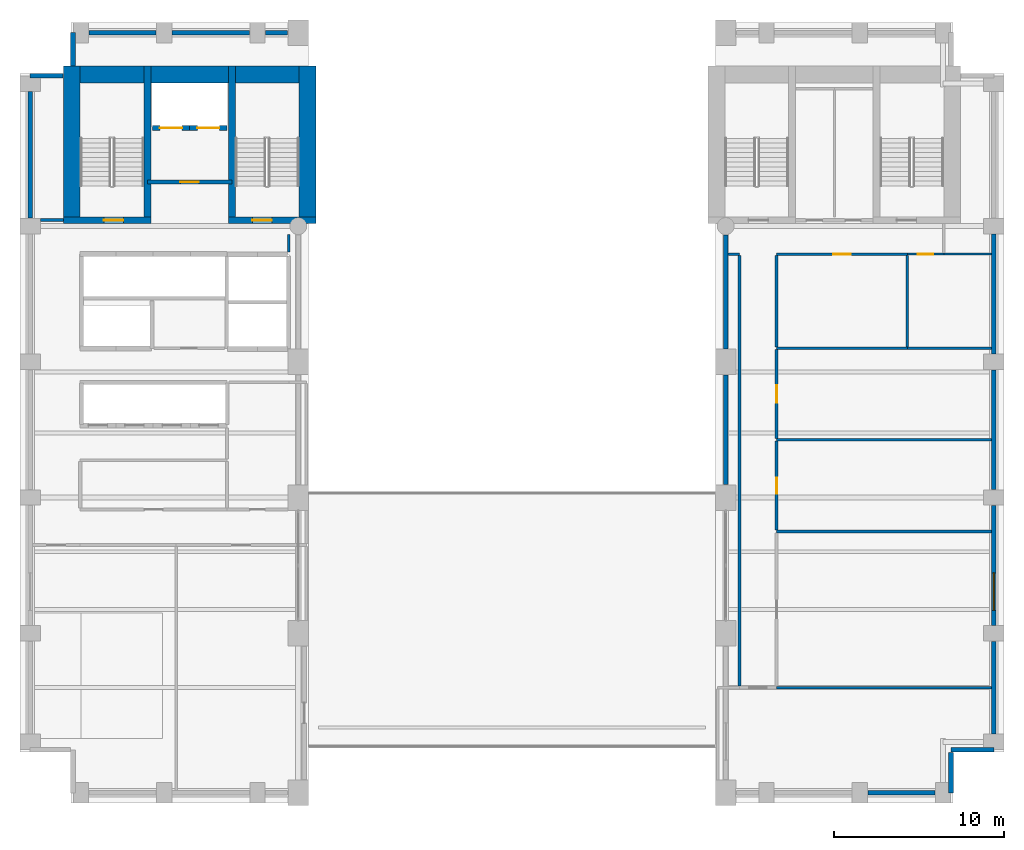
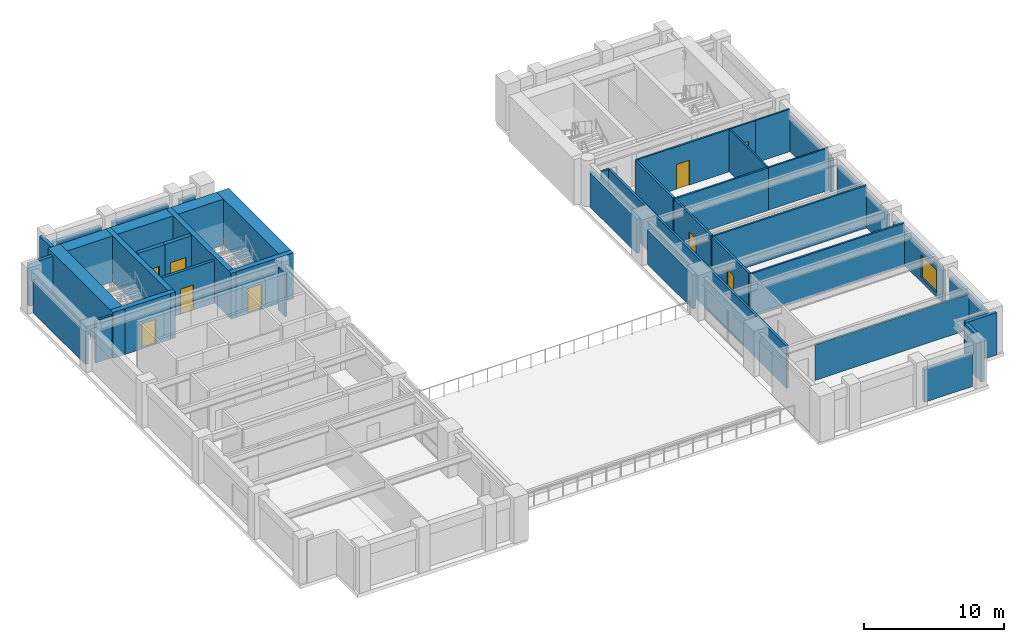
# One storey, part 6 of 10: 41 walls, 9 doors, 1 window, 10 openings.
"""IFC4 building model written with IfcOpenShell, lengths in metres."""

from ifc_helpers import new_model, si_unit, direction, frame, frame_2d, origin, place, context, subcontext, project, spatial, rectangle, extrude, material, layer, layer_set, type_object, element, fill, save


model = new_model("IFC4")

# Units and contexts
model_context = context("Model", 3, precision=1e-05, world=origin(), true_north=direction((0.0, 1.0)))
body_context = subcontext(model_context, "Body", "Model", "MODEL_VIEW")
ifc_project = project(units=[si_unit("LENGTHUNIT", "METRE"), si_unit("AREAUNIT", "SQUARE_METRE"), si_unit("VOLUMEUNIT", "CUBIC_METRE"), si_unit("PLANEANGLEUNIT", "RADIAN"), si_unit("MASSUNIT", "GRAM", prefix="KILO")], contexts=[model_context])

# Site, building, storey
site_placement = place(None, origin())
site = spatial("IfcSite", under=ifc_project, at=site_placement, CompositionType="ELEMENT")
building_placement = place(site_placement, origin())
building = spatial("IfcBuilding", under=site, at=building_placement, Name="Sulina Concourse Tower", CompositionType="ELEMENT")
storey_placement = place(building_placement, frame((0.0, 0.0, 22.60009765625)))
storey = spatial("IfcBuildingStorey", under=building, at=storey_placement, Name="L05", CompositionType="ELEMENT", Elevation=22.60009765625)

# Wall, opening, door
ifc_material_1 = material(Name="Concrete C50/60", Category="concrete")
ifc_layer_1 = layer(ifc_material_1, 0.300048828125)
ifc_layer_set_1 = layer_set([ifc_layer_1], Name="Concrete C50/60")
wall_type_1 = type_object("IfcWallType", Name="Core Lift Hoistway Wall 300mm", PredefinedType="SOLIDWALL", material=ifc_layer_set_1)
wall_1_placement = place(storey_placement, frame((10.0, 39.780029296875, 0.0), z_axis=(0.0, 0.0, 1.0), x_axis=(-1.0, 0.0, 0.0)))
wall_1 = element("IfcWall", 1, at=wall_1_placement, inside=storey, type_object=wall_type_1, Name="L05 hoistway enclosure wall FFL-1", PredefinedType="SOLIDWALL", context=body_context, shape_type="SweptSolid", body=[
    extrude(rectangle(XDim=2.199951171875, YDim=0.300048828125, at=frame_2d((1.10009765625, 0.0))), origin(), (0.0, 0.0, 1.0), 4.0),
])
opening_1_placement = place(wall_1_placement, frame((0.449951171875, 0.0, 0.0)))
opening_1 = element("IfcOpeningElement", 2, at=opening_1_placement, cuts=wall_1, Name="Opening LD-02", PredefinedType="OPENING", context=body_context, shape_type="SweptSolid", body=[
    extrude(rectangle(XDim=1.300048828125, YDim=2.25, at=frame_2d((0.64990234375, 1.125))), frame((0.0, 0.159912109375, 0.0), z_axis=(0.0, -1.0, 0.0), x_axis=(1.0, 0.0, 0.0)), (0.0, 0.0, 1.0), 0.320068359375),
])
ifc_material_2 = material(Name="Stainless steel lift landing door", Category="steel")
ifc_layer_2 = layer(ifc_material_2, 0.050048828125)
ifc_layer_set_2 = layer_set([ifc_layer_2], Name="Stainless steel lift landing door")
door_type_1 = type_object("IfcDoorType", Name="Firefighting Lift Sliding Landing Door 1300x2250", OperationType="SLIDING_TO_RIGHT", PredefinedType="DOOR", material=ifc_layer_set_2)
door_1_placement = place(opening_1_placement, origin())
door_1 = element("IfcDoor", 3, at=door_1_placement, inside=storey, type_object=door_type_1, Name="L05 lift landing sliding door FFL-1", OperationType="SLIDING_TO_LEFT", OverallHeight=2.25, OverallWidth=1.300048828125, PredefinedType="DOOR", context=body_context, shape_type="SweptSolid", body=[
    extrude(rectangle(XDim=1.300048828125, YDim=2.25, at=frame_2d((0.64990234375, 1.125))), frame((0.0, 0.02490234375, 0.0), z_axis=(0.0, -1.0, 0.0), x_axis=(1.0, 0.0, 0.0)), (0.0, 0.0, 1.0), 0.050048828125),
])
fill(opening_1, door_1)

wall_2_placement = place(storey_placement, frame((12.199951171875, 39.780029296875, 0.0), z_axis=(0.0, 0.0, 1.0), x_axis=(-1.0, 0.0, 0.0)))
wall_2 = element("IfcWall", 4, at=wall_2_placement, inside=storey, type_object=wall_type_1, Name="L05 hoistway enclosure wall FFL-2", PredefinedType="SOLIDWALL", context=body_context, shape_type="SweptSolid", body=[
    extrude(rectangle(XDim=2.199951171875, YDim=0.300048828125, at=frame_2d((1.10009765625, 0.0))), origin(), (0.0, 0.0, 1.0), 4.0),
])
opening_2_placement = place(wall_2_placement, frame((0.449951171875, 0.0, 0.0)))
opening_2 = element("IfcOpeningElement", 5, at=opening_2_placement, cuts=wall_2, Name="Opening LD-02", PredefinedType="OPENING", context=body_context, shape_type="SweptSolid", body=[
    extrude(rectangle(XDim=1.300048828125, YDim=2.25, at=frame_2d((0.64990234375, 1.125))), frame((0.0, 0.159912109375, 0.0), z_axis=(0.0, -1.0, 0.0), x_axis=(1.0, 0.0, 0.0)), (0.0, 0.0, 1.0), 0.320068359375),
])
door_2_placement = place(opening_2_placement, origin())
door_2 = element("IfcDoor", 6, at=door_2_placement, inside=storey, type_object=door_type_1, Name="L05 lift landing sliding door FFL-2", OperationType="SLIDING_TO_RIGHT", OverallHeight=2.25, OverallWidth=1.300048828125, PredefinedType="DOOR", context=body_context, shape_type="SweptSolid", body=[
    extrude(rectangle(XDim=1.300048828125, YDim=2.25, at=frame_2d((0.64990234375, 1.125))), frame((0.0, 0.02490234375, 0.0), z_axis=(0.0, -1.0, 0.0), x_axis=(1.0, 0.0, 0.0)), (0.0, 0.0, 1.0), 0.050048828125),
])
fill(opening_2, door_2)

ifc_material_3 = material(Name="Gypsum board on steel stud", Category="steel")
ifc_layer_3 = layer(ifc_material_3, 0.219970703125)
ifc_layer_set_3 = layer_set([ifc_layer_3], Name="Gypsum board on steel stud")
wall_type_2 = type_object("IfcWallType", Name="Fire-Rated Lobby & Compartment Wall 220mm", PredefinedType="PARTITIONING", material=ifc_layer_set_3)
wall_3_placement = place(storey_placement, frame((7.510009765625, 36.60009765625, 0.0), z_axis=(0.0, 0.0, 1.0), x_axis=(1.0, 0.0, 0.0)))
wall_3 = element("IfcWall", 7, at=wall_3_placement, inside=storey, type_object=wall_type_2, Name="L05 firefighting lobby south fire wall", PredefinedType="PARTITIONING", context=body_context, shape_type="SweptSolid", body=[
    extrude(rectangle(XDim=4.97998046875, YDim=0.219970703125, at=frame_2d((2.489990234375, 0.0))), origin(), (0.0, 0.0, 1.0), 3.699951171875),
])
opening_3_placement = place(wall_3_placement, frame((1.93994140625, 0.0, 0.0)))
opening_3 = element("IfcOpeningElement", 8, at=opening_3_placement, cuts=wall_3, Name="Opening DR-47", PredefinedType="OPENING", context=body_context, shape_type="SweptSolid", body=[
    extrude(rectangle(XDim=1.10009765625, YDim=2.199951171875, at=frame_2d((0.550048828125, 1.10009765625))), frame((0.0, 0.119873046875, 0.0), z_axis=(0.0, -1.0, 0.0), x_axis=(1.0, 0.0, 0.0)), (0.0, 0.0, 1.0), 0.239990234375),
])
ifc_material_4 = material(Name="Galvanised steel acoustic fire leaf", Category="steel")
ifc_layer_4 = layer(ifc_material_4, 0.054931640625)
ifc_layer_set_4 = layer_set([ifc_layer_4], Name="Galvanised steel acoustic fire leaf")
door_type_2 = type_object("IfcDoorType", Name="Firefighting Lobby Fire Door 1100x2200", OperationType="NOTDEFINED", PredefinedType="DOOR", material=ifc_layer_set_4)
door_3_placement = place(opening_3_placement, origin())
door_3 = element("IfcDoor", 9, at=door_3_placement, inside=storey, type_object=door_type_2, Name="L05 firefighting lobby fire door", OperationType="SINGLE_SWING_RIGHT", OverallHeight=2.199951171875, OverallWidth=1.10009765625, PredefinedType="DOOR", context=body_context, shape_type="SweptSolid", body=[
    extrude(rectangle(XDim=1.10009765625, YDim=2.199951171875, at=frame_2d((0.550048828125, 1.10009765625))), frame((0.0, 0.02490234375, 0.0), z_axis=(0.0, -1.0, 0.0), x_axis=(1.0, 0.0, 0.0)), (0.0, 0.0, 1.0), 0.050048828125),
])
fill(opening_3, door_3)

# Walls
ifc_material_5 = material(Name="Gypsum board on steel stud", Category="steel")
ifc_layer_5 = layer(ifc_material_5, 0.14990234375)
ifc_layer_set_5 = layer_set([ifc_layer_5], Name="Gypsum board on steel stud")
wall_type_3 = type_object("IfcWallType", Name="Inter-Tenancy Acoustic Partition 150mm", PredefinedType="PARTITIONING", material=ifc_layer_set_5)
wall_4_placement = place(storey_placement, frame((44.60009765625, 6.800048828125, 0.0), z_axis=(0.0, 0.0, 1.0), x_axis=(1.0, 0.0, 0.0)))
element("IfcWall", 10, at=wall_4_placement, inside=storey, type_object=wall_type_3, Name="L05 interior partition 003", PredefinedType="PARTITIONING", context=body_context, shape_type="SweptSolid", body=[
    extrude(rectangle(XDim=12.659912109375, YDim=0.14990234375, at=frame_2d((6.330078125, 0.0))), origin(), (0.0, 0.0, 1.0), 3.094970703125),
])
for number, where, z_axis, x_axis, name in (
    (11, (44.60009765625, 16.0, 0.0), (0.0, 0.0, 1.0), (1.0, 0.0, 0.0), "L05 interior partition 007"),
    (12, (44.60009765625, 21.39990234375, 0.0), (0.0, 0.0, 1.0), (1.0, 0.0, 0.0), "L05 interior partition 011"),
):
    element("IfcWall", number, at=place(storey_placement, frame(where, z_axis=z_axis, x_axis=x_axis)), inside=storey, type_object=wall_type_3, Name=name, PredefinedType="PARTITIONING", context=body_context, shape_type="SweptSolid", body=[
        extrude(rectangle(XDim=12.659912109375, YDim=0.14990234375, at=frame_2d((6.330078125, 0.0))), origin(), (0.0, 0.0, 1.0), 3.699951171875),
    ])
wall_5_placement = place(storey_placement, frame((44.60009765625, 26.800048828125, 0.0), z_axis=(0.0, 0.0, 1.0), x_axis=(1.0, 0.0, 0.0)))
element("IfcWall", 13, at=wall_5_placement, inside=storey, type_object=wall_type_3, Name="L05 interior partition 015", PredefinedType="PARTITIONING", context=body_context, shape_type="SweptSolid", body=[
    extrude(rectangle(XDim=7.699951171875, YDim=0.14990234375, at=frame_2d((3.85009765625, 0.0))), origin(), (0.0, 0.0, 1.0), 3.699951171875),
])
wall_6_placement = place(storey_placement, frame((41.739990234375, 32.35009765625, 0.0), z_axis=(0.0, 0.0, 1.0), x_axis=(1.0, 0.0, 0.0)))
element("IfcWall", 14, at=wall_6_placement, inside=storey, type_object=wall_type_3, Name="L05 interior partition 017", PredefinedType="PARTITIONING", context=body_context, shape_type="SweptSolid", body=[
    extrude(rectangle(XDim=0.659912109375, YDim=0.14990234375, at=frame_2d((0.330078125, 0.0))), origin(), (0.0, 0.0, 1.0), 3.699951171875),
])

# Wall, opening, door
wall_7_placement = place(storey_placement, frame((44.60009765625, 32.35009765625, 0.0), z_axis=(0.0, 0.0, 1.0), x_axis=(1.0, 0.0, 0.0)))
wall_7 = element("IfcWall", 15, at=wall_7_placement, inside=storey, type_object=wall_type_3, Name="L05 interior partition 018", PredefinedType="PARTITIONING", context=body_context, shape_type="SweptSolid", body=[
    extrude(rectangle(XDim=7.699951171875, YDim=0.14990234375, at=frame_2d((3.85009765625, 0.0))), origin(), (0.0, 0.0, 1.0), 3.699951171875),
])
opening_4_placement = place(wall_7_placement, frame((3.324951171875, 0.0, 0.0)))
opening_4 = element("IfcOpeningElement", 16, at=opening_4_placement, cuts=wall_7, Name="Opening DR-37", PredefinedType="OPENING", context=body_context, shape_type="SweptSolid", body=[
    extrude(rectangle(XDim=1.050048828125, YDim=2.14990234375, at=frame_2d((0.52490234375, 1.074951171875))), frame((0.0, 0.0849609375, 0.0), z_axis=(0.0, -1.0, 0.0), x_axis=(1.0, 0.0, 0.0)), (0.0, 0.0, 1.0), 0.169921875),
])
ifc_material_6 = material(Name="Oak-veneered fire door leaf")
ifc_layer_6 = layer(ifc_material_6, 0.050048828125)
ifc_layer_set_6 = layer_set([ifc_layer_6], Name="Oak-veneered fire door leaf")
door_type_3 = type_object("IfcDoorType", Name="Tenant Suite Entrance Fire Door 1050x2150", OperationType="NOTDEFINED", PredefinedType="DOOR", material=ifc_layer_set_6)
door_4_placement = place(opening_4_placement, origin())
door_4 = element("IfcDoor", 17, at=door_4_placement, inside=storey, type_object=door_type_3, Name="L05 interior door L05-REC-E1", OperationType="SINGLE_SWING_RIGHT", OverallHeight=2.14990234375, OverallWidth=1.050048828125, PredefinedType="DOOR", context=body_context, shape_type="SweptSolid", body=[
    extrude(rectangle(XDim=1.050048828125, YDim=2.14990234375, at=frame_2d((0.52490234375, 1.074951171875))), frame((0.0, 0.02490234375, 0.0), z_axis=(0.0, -1.0, 0.0), x_axis=(1.0, 0.0, 0.0)), (0.0, 0.0, 1.0), 0.050048828125),
])
fill(opening_4, door_4)

# Walls
wall_8_placement = place(storey_placement, frame((15.85009765625, 32.469970703125, 0.0), z_axis=(0.0, 0.0, 1.0), x_axis=(0.0, 1.0, 0.0)))
element("IfcWall", 18, at=wall_8_placement, inside=storey, type_object=wall_type_3, Name="L05 interior partition 028", PredefinedType="PARTITIONING", context=body_context, shape_type="SweptSolid", body=[
    extrude(rectangle(XDim=1.030029296875, YDim=0.14990234375, at=frame_2d((0.51513671875, 0.0))), origin(), (0.0, 0.0, 1.0), 3.699951171875),
])
ifc_material_7 = material(Name="Gypsum board on steel stud", Category="steel")
ifc_layer_7 = layer(ifc_material_7, 0.179931640625)
ifc_layer_set_7 = layer_set([ifc_layer_7], Name="Gypsum board on steel stud")
wall_type_4 = type_object("IfcWallType", Name="Protected Corridor & Riser Partition 180mm", PredefinedType="PARTITIONING", material=ifc_layer_set_7)
wall_9_placement = place(storey_placement, frame((1.199951171875, 34.35009765625, 0.0), z_axis=(0.0, 0.0, 1.0), x_axis=(1.0, 0.0, 0.0)))
element("IfcWall", 19, at=wall_9_placement, inside=storey, type_object=wall_type_4, Name="L05 interior partition 021", PredefinedType="PARTITIONING", context=body_context, shape_type="SweptSolid", body=[
    extrude(rectangle(XDim=1.35009765625, YDim=0.179931640625, at=frame_2d((0.675048828125, 0.0))), origin(), (0.0, 0.0, 1.0), 3.699951171875),
])
wall_10_placement = place(storey_placement, frame((42.39990234375, 6.889892578125, 0.0), z_axis=(0.0, 0.0, 1.0), x_axis=(0.0, 1.0, 0.0)))
element("IfcWall", 20, at=wall_10_placement, inside=storey, type_object=wall_type_4, Name="L05 interior partition 033", PredefinedType="PARTITIONING", context=body_context, shape_type="SweptSolid", body=[
    extrude(rectangle(XDim=25.385009765625, YDim=0.179931640625, at=frame_2d((12.6923828125, 0.0))), origin(), (0.0, 0.0, 1.0), 3.699951171875),
])

# Wall, opening, door
wall_11_placement = place(storey_placement, frame((44.60009765625, 16.074951171875, 0.0), z_axis=(0.0, 0.0, 1.0), x_axis=(0.0, 1.0, 0.0)))
wall_11 = element("IfcWall", 21, at=wall_11_placement, inside=storey, type_object=wall_type_4, Name="L05 interior partition 035", PredefinedType="PARTITIONING", context=body_context, shape_type="SweptSolid", body=[
    extrude(rectangle(XDim=5.25, YDim=0.179931640625, at=frame_2d((2.625, 0.0))), origin(), (0.0, 0.0, 1.0), 3.699951171875),
])
opening_5_placement = place(wall_11_placement, frame((2.14990234375, 0.0, 0.0)))
opening_5 = element("IfcOpeningElement", 22, at=opening_5_placement, cuts=wall_11, Name="Opening DR-19", PredefinedType="OPENING", context=body_context, shape_type="SweptSolid", body=[
    extrude(rectangle(XDim=0.949951171875, YDim=2.14990234375, at=frame_2d((0.47509765625, 1.074951171875))), frame((0.0, 0.099853515625, 0.0), z_axis=(0.0, -1.0, 0.0), x_axis=(1.0, 0.0, 0.0)), (0.0, 0.0, 1.0), 0.199951171875),
])
ifc_material_8 = material(Name="Oak-veneered acoustic timber leaf", Category="wood")
ifc_layer_8 = layer(ifc_material_8, 0.050048828125)
ifc_layer_set_8 = layer_set([ifc_layer_8], Name="Oak-veneered acoustic timber leaf")
door_type_4 = type_object("IfcDoorType", Name="Cellular Office & Meeting Door 950x2150", OperationType="NOTDEFINED", PredefinedType="DOOR", material=ifc_layer_set_8)
door_5_placement = place(opening_5_placement, origin())
door_5 = element("IfcDoor", 23, at=door_5_placement, inside=storey, type_object=door_type_4, Name="L05 interior door L05-PNT-E1", OperationType="SINGLE_SWING_LEFT", OverallHeight=2.14990234375, OverallWidth=0.949951171875, PredefinedType="DOOR", context=body_context, shape_type="SweptSolid", body=[
    extrude(rectangle(XDim=0.949951171875, YDim=2.14990234375, at=frame_2d((0.47509765625, 1.074951171875))), frame((0.0, 0.02490234375, 0.0), z_axis=(0.0, -1.0, 0.0), x_axis=(1.0, 0.0, 0.0)), (0.0, 0.0, 1.0), 0.050048828125),
])
fill(opening_5, door_5)

wall_12_placement = place(storey_placement, frame((44.60009765625, 21.47509765625, 0.0), z_axis=(0.0, 0.0, 1.0), x_axis=(0.0, 1.0, 0.0)))
wall_12 = element("IfcWall", 24, at=wall_12_placement, inside=storey, type_object=wall_type_4, Name="L05 interior partition 036", PredefinedType="PARTITIONING", context=body_context, shape_type="SweptSolid", body=[
    extrude(rectangle(XDim=5.25, YDim=0.179931640625, at=frame_2d((2.625, 0.0))), origin(), (0.0, 0.0, 1.0), 3.699951171875),
])
opening_6_placement = place(wall_12_placement, frame((2.10009765625, 0.0, 0.0)))
opening_6 = element("IfcOpeningElement", 25, at=opening_6_placement, cuts=wall_12, Name="Opening DR-37", PredefinedType="OPENING", context=body_context, shape_type="SweptSolid", body=[
    extrude(rectangle(XDim=1.050048828125, YDim=2.14990234375, at=frame_2d((0.52490234375, 1.074951171875))), frame((0.0, 0.099853515625, 0.0), z_axis=(0.0, -1.0, 0.0), x_axis=(1.0, 0.0, 0.0)), (0.0, 0.0, 1.0), 0.199951171875),
])
door_6_placement = place(opening_6_placement, origin())
door_6 = element("IfcDoor", 26, at=door_6_placement, inside=storey, type_object=door_type_3, Name="L05 interior door L05-OFF-E4", OperationType="SINGLE_SWING_RIGHT", OverallHeight=2.14990234375, OverallWidth=1.050048828125, PredefinedType="DOOR", context=body_context, shape_type="SweptSolid", body=[
    extrude(rectangle(XDim=1.050048828125, YDim=2.14990234375, at=frame_2d((0.52490234375, 1.074951171875))), frame((0.0, 0.02490234375, 0.0), z_axis=(0.0, -1.0, 0.0), x_axis=(1.0, 0.0, 0.0)), (0.0, 0.0, 1.0), 0.050048828125),
])
fill(opening_6, door_6)

# Wall
wall_13_placement = place(storey_placement, frame((44.60009765625, 26.875, 0.0), z_axis=(0.0, 0.0, 1.0), x_axis=(0.0, 1.0, 0.0)))
element("IfcWall", 27, at=wall_13_placement, inside=storey, type_object=wall_type_4, Name="L05 interior partition 037", PredefinedType="PARTITIONING", context=body_context, shape_type="SweptSolid", body=[
    extrude(rectangle(XDim=5.39990234375, YDim=0.179931640625, at=frame_2d((2.699951171875, 0.0))), origin(), (0.0, 0.0, 1.0), 3.699951171875),
])

# Wall, opening, door
ifc_material_9 = material(Name="Concrete C60/75", Category="concrete")
ifc_layer_9 = layer(ifc_material_9, 0.39990234375)
ifc_layer_set_9 = layer_set([ifc_layer_9], Name="Concrete C60/75")
wall_type_5 = type_object("IfcWallType", Name="Protected Stair Core Shear Wall 400mm", PredefinedType="SHEAR", material=ifc_layer_set_9)
wall_14_placement = place(storey_placement, frame((2.550048828125, 34.35009765625, 0.0), z_axis=(0.0, 0.0, 1.0), x_axis=(1.0, 0.0, 0.0)))
wall_14 = element("IfcWall", 28, at=wall_14_placement, inside=storey, type_object=wall_type_5, Name="L05 west core shear wall CW-WS1", PredefinedType="SHEAR", context=body_context, shape_type="SweptSolid", body=[
    extrude(rectangle(XDim=5.159912109375, YDim=0.39990234375, at=frame_2d((2.580078125, 0.0))), origin(), (0.0, 0.0, 1.0), 4.0),
])
opening_7_placement = place(wall_14_placement, frame((2.39990234375, 0.0, 0.0)))
opening_7 = element("IfcOpeningElement", 29, at=opening_7_placement, cuts=wall_14, Name="Opening DR-60", PredefinedType="OPENING", context=body_context, shape_type="SweptSolid", body=[
    extrude(rectangle(XDim=1.14990234375, YDim=2.199951171875, at=frame_2d((0.574951171875, 1.10009765625))), frame((0.0, 0.2099609375, 0.0), z_axis=(0.0, -1.0, 0.0), x_axis=(1.0, 0.0, 0.0)), (0.0, 0.0, 1.0), 0.419921875),
])
ifc_material_10 = material(Name="Galvanised steel acoustic fire leaf", Category="steel")
ifc_layer_10 = layer(ifc_material_10, 0.054931640625)
ifc_layer_set_10 = layer_set([ifc_layer_10], Name="Galvanised steel acoustic fire leaf")
door_type_5 = type_object("IfcDoorType", Name="Protected Exit Stair Fire Door 1150x2200", OperationType="NOTDEFINED", PredefinedType="DOOR", material=ifc_layer_set_10)
door_7_placement = place(opening_7_placement, origin())
door_7 = element("IfcDoor", 30, at=door_7_placement, inside=storey, type_object=door_type_5, Name="L05 stair ST-1 lobby fire door", OperationType="SINGLE_SWING_RIGHT", OverallHeight=2.199951171875, OverallWidth=1.14990234375, PredefinedType="DOOR", context=body_context, shape_type="SweptSolid", body=[
    extrude(rectangle(XDim=1.14990234375, YDim=2.199951171875, at=frame_2d((0.574951171875, 1.10009765625))), frame((0.0, 0.02490234375, 0.0), z_axis=(0.0, -1.0, 0.0), x_axis=(1.0, 0.0, 0.0)), (0.0, 0.0, 1.0), 0.050048828125),
])
fill(opening_7, door_7)

wall_15_placement = place(storey_placement, frame((12.2900390625, 34.35009765625, 0.0), z_axis=(0.0, 0.0, 1.0), x_axis=(1.0, 0.0, 0.0)))
wall_15 = element("IfcWall", 31, at=wall_15_placement, inside=storey, type_object=wall_type_5, Name="L05 west core shear wall CW-WS2", PredefinedType="SHEAR", context=body_context, shape_type="SweptSolid", body=[
    extrude(rectangle(XDim=5.159912109375, YDim=0.39990234375, at=frame_2d((2.580078125, 0.0))), origin(), (0.0, 0.0, 1.0), 4.0),
])
opening_8_placement = place(wall_15_placement, frame((1.39990234375, 0.0, 0.0)))
opening_8 = element("IfcOpeningElement", 32, at=opening_8_placement, cuts=wall_15, Name="Opening DR-60", PredefinedType="OPENING", context=body_context, shape_type="SweptSolid", body=[
    extrude(rectangle(XDim=1.14990234375, YDim=2.199951171875, at=frame_2d((0.574951171875, 1.10009765625))), frame((0.0, 0.2099609375, 0.0), z_axis=(0.0, -1.0, 0.0), x_axis=(1.0, 0.0, 0.0)), (0.0, 0.0, 1.0), 0.419921875),
])
door_8_placement = place(opening_8_placement, origin())
door_8 = element("IfcDoor", 33, at=door_8_placement, inside=storey, type_object=door_type_5, Name="L05 stair ST-2 lobby fire door", OperationType="SINGLE_SWING_LEFT", OverallHeight=2.199951171875, OverallWidth=1.14990234375, PredefinedType="DOOR", context=body_context, shape_type="SweptSolid", body=[
    extrude(rectangle(XDim=1.14990234375, YDim=2.199951171875, at=frame_2d((0.574951171875, 1.10009765625))), frame((0.0, 0.02490234375, 0.0), z_axis=(0.0, -1.0, 0.0), x_axis=(1.0, 0.0, 0.0)), (0.0, 0.0, 1.0), 0.050048828125),
])
fill(opening_8, door_8)

# Walls
for number, where, z_axis, x_axis, name in (
    (34, (7.510009765625, 34.14990234375, 0.0), (0.0, 0.0, 1.0), (0.0, 1.0, 0.0), "L05 west core shear wall SW-ST1"),
    (35, (12.489990234375, 34.14990234375, 0.0), (0.0, 0.0, 1.0), (0.0, 1.0, 0.0), "L05 west core shear wall SW-ST2"),
):
    element("IfcWall", number, at=place(storey_placement, frame(where, z_axis=z_axis, x_axis=x_axis)), inside=storey, type_object=wall_type_5, Name=name, PredefinedType="SHEAR", context=body_context, shape_type="SweptSolid", body=[
        extrude(rectangle(XDim=9.280029296875, YDim=0.39990234375, at=frame_2d((4.64013671875, 0.0))), origin(), (0.0, 0.0, 1.0), 4.0),
    ])
ifc_material_11 = material(Name="Concrete C80/95", Category="concrete")
ifc_layer_11 = layer(ifc_material_11, 1.0)
ifc_layer_set_11 = layer_set([ifc_layer_11], Name="Concrete C80/95")
wall_type_6 = type_object("IfcWallType", Name="Rear Core Shear Wall 1000mm", PredefinedType="SHEAR", material=ifc_layer_set_11)
wall_16_placement = place(storey_placement, frame((2.550048828125, 42.929931640625, 0.0), z_axis=(0.0, 0.0, 1.0), x_axis=(1.0, 0.0, 0.0)))
element("IfcWall", 36, at=wall_16_placement, inside=storey, type_object=wall_type_6, Name="L05 west core shear wall CW-WN", PredefinedType="SHEAR", context=body_context, shape_type="SweptSolid", body=[
    extrude(rectangle(XDim=14.89990234375, YDim=1.0, at=frame_2d((7.449951171875, 0.0))), origin(), (0.0, 0.0, 1.0), 4.0),
])
for number, where, z_axis, x_axis, name in (
    (37, (3.050048828125, 34.14990234375, 0.0), (0.0, 0.0, 1.0), (0.0, 1.0, 0.0), "L05 west core shear wall CW-WW"),
    (38, (16.949951171875, 34.14990234375, 0.0), (0.0, 0.0, 1.0), (0.0, 1.0, 0.0), "L05 west core shear wall CW-WE"),
):
    element("IfcWall", number, at=place(storey_placement, frame(where, z_axis=z_axis, x_axis=x_axis)), inside=storey, type_object=wall_type_6, Name=name, PredefinedType="SHEAR", context=body_context, shape_type="SweptSolid", body=[
        extrude(rectangle(XDim=9.280029296875, YDim=1.0, at=frame_2d((4.64013671875, 0.0))), origin(), (0.0, 0.0, 1.0), 4.0),
    ])
ifc_material_12 = material(Name="Precast concrete C50/60", Category="concrete")
ifc_layer_12 = layer(ifc_material_12, 0.280029296875)
ifc_layer_set_12 = layer_set([ifc_layer_12], Name="Precast concrete C50/60")
wall_type_7 = type_object("IfcWallType", Name="Typical Precast Masonry-Frame Facade Wall 280mm", PredefinedType="SOLIDWALL", material=ifc_layer_set_12)
wall_17_placement = place(storey_placement, frame((53.929931640625, 0.60009765625, 0.0), z_axis=(0.0, 0.0, 1.0), x_axis=(-1.0, 0.0, 0.0)))
element("IfcWall", 39, at=wall_17_placement, inside=storey, type_object=wall_type_7, Name="L05 exterior precast wall S7", PredefinedType="SOLIDWALL", context=body_context, shape_type="SweptSolid", body=[
    extrude(rectangle(XDim=3.9599609375, YDim=0.280029296875, at=frame_2d((1.97998046875, 0.0))), origin(), (0.0, 0.0, 1.0), 2.849853515625),
])
wall_18_placement = place(storey_placement, frame((0.60009765625, 34.469970703125, 0.0), z_axis=(0.0, 0.0, 1.0), x_axis=(0.0, 1.0, 0.0)))
element("IfcWall", 40, at=wall_18_placement, inside=storey, type_object=wall_type_7, Name="L05 exterior precast wall W5", PredefinedType="SOLIDWALL", context=body_context, shape_type="SweptSolid", body=[
    extrude(rectangle(XDim=7.4599609375, YDim=0.280029296875, at=frame_2d((3.72998046875, 0.0))), origin(), (0.0, 0.0, 1.0), 2.849853515625),
])
wall_19_placement = place(storey_placement, frame((4.070068359375, 45.39990234375, 0.0), z_axis=(0.0, 0.0, 1.0), x_axis=(1.0, 0.0, 0.0)))
element("IfcWall", 41, at=wall_19_placement, inside=storey, type_object=wall_type_7, Name="L05 exterior precast wall N1", PredefinedType="SOLIDWALL", context=body_context, shape_type="SweptSolid", body=[
    extrude(rectangle(XDim=3.9599609375, YDim=0.280029296875, at=frame_2d((1.97998046875, 0.0))), origin(), (0.0, 0.0, 1.0), 2.849853515625),
])
wall_20_placement = place(storey_placement, frame((8.969970703125, 45.39990234375, 0.0), z_axis=(0.0, 0.0, 1.0), x_axis=(1.0, 0.0, 0.0)))
element("IfcWall", 42, at=wall_20_placement, inside=storey, type_object=wall_type_7, Name="L05 exterior precast wall N2", PredefinedType="SOLIDWALL", context=body_context, shape_type="SweptSolid", body=[
    extrude(rectangle(XDim=4.56005859375, YDim=0.280029296875, at=frame_2d((2.280029296875, 0.0))), origin(), (0.0, 0.0, 1.0), 2.849853515625),
])
wall_21_placement = place(storey_placement, frame((14.469970703125, 45.39990234375, 0.0), z_axis=(0.0, 0.0, 1.0), x_axis=(1.0, 0.0, 0.0)))
element("IfcWall", 43, at=wall_21_placement, inside=storey, type_object=wall_type_7, Name="L05 exterior precast wall N3", PredefinedType="SOLIDWALL", context=body_context, shape_type="SweptSolid", body=[
    extrude(rectangle(XDim=1.31005859375, YDim=0.280029296875, at=frame_2d((0.655029296875, 0.0))), origin(), (0.0, 0.0, 1.0), 2.849853515625),
])
wall_22_placement = place(storey_placement, frame((57.39990234375, 9.530029296875, 0.0), z_axis=(0.0, 0.0, 1.0), x_axis=(0.0, -1.0, 0.0)))
element("IfcWall", 44, at=wall_22_placement, inside=storey, type_object=wall_type_7, Name="L05 exterior precast wall E1", PredefinedType="SOLIDWALL", context=body_context, shape_type="SweptSolid", body=[
    extrude(rectangle(XDim=5.4599609375, YDim=0.280029296875, at=frame_2d((2.72998046875, 0.0))), origin(), (0.0, 0.0, 1.0), 2.849853515625),
])

# Wall, opening, window
wall_23_placement = place(storey_placement, frame((57.39990234375, 17.530029296875, 0.0), z_axis=(0.0, 0.0, 1.0), x_axis=(0.0, -1.0, 0.0)))
wall_23 = element("IfcWall", 45, at=wall_23_placement, inside=storey, type_object=wall_type_7, Name="L05 exterior precast wall E2", PredefinedType="SOLIDWALL", context=body_context, shape_type="SweptSolid", body=[
    extrude(rectangle(XDim=7.06005859375, YDim=0.280029296875, at=frame_2d((3.530029296875, 0.0))), origin(), (0.0, 0.0, 1.0), 2.849853515625),
])
opening_9_placement = place(wall_23_placement, frame((3.973388671875, 0.0, 0.419921875)))
opening_9 = element("IfcOpeningElement", 46, at=opening_9_placement, cuts=wall_23, Name="Opening WN-76", PredefinedType="OPENING", context=body_context, shape_type="SweptSolid", body=[
    extrude(rectangle(XDim=2.199951171875, YDim=1.949951171875, at=frame_2d((1.10009765625, 0.97509765625))), frame((0.0, 0.14990234375, 0.0), z_axis=(0.0, -1.0, 0.0), x_axis=(1.0, 0.0, 0.0)), (0.0, 0.0, 1.0), 0.300048828125),
])
ifc_material_13 = material(Name="Low-E solar double glazing in bronze aluminium", Category="aluminium")
window_type = type_object("IfcWindowType", Name="Recessed Spandrel Window 2200x1950", PartitioningType="DOUBLE_PANEL_VERTICAL", PredefinedType="WINDOW", material=ifc_material_13)
window_placement = place(opening_9_placement, origin())
window = element("IfcWindow", 47, at=window_placement, inside=storey, type_object=window_type, Name="L05 punched window E2-1", OverallHeight=1.949951171875, OverallWidth=2.199951171875, PartitioningType="SINGLE_PANEL", PredefinedType="WINDOW", context=body_context, shape_type="SweptSolid", body=[
    extrude(rectangle(XDim=2.199951171875, YDim=1.949951171875, at=frame_2d((1.10009765625, 0.97509765625))), frame((0.0, 0.030029296875, 0.0), z_axis=(0.0, -1.0, 0.0), x_axis=(1.0, 0.0, 0.0)), (0.0, 0.0, 1.0), 0.06005859375),
])
fill(opening_9, window)

# Walls
for number, where, z_axis, x_axis, name in (
    (48, (57.39990234375, 25.530029296875, 0.0), (0.0, 0.0, 1.0), (0.0, -1.0, 0.0), "L05 exterior precast wall E3"),
    (49, (57.39990234375, 33.530029296875, 0.0), (0.0, 0.0, 1.0), (0.0, -1.0, 0.0), "L05 exterior precast wall E4"),
):
    element("IfcWall", number, at=place(storey_placement, frame(where, z_axis=z_axis, x_axis=x_axis)), inside=storey, type_object=wall_type_7, Name=name, PredefinedType="SOLIDWALL", context=body_context, shape_type="SweptSolid", body=[
        extrude(rectangle(XDim=7.06005859375, YDim=0.280029296875, at=frame_2d((3.530029296875, 0.0))), origin(), (0.0, 0.0, 1.0), 2.849853515625),
    ])
wall_24_placement = place(storey_placement, frame((0.60009765625, 42.8701171875, 0.0), z_axis=(0.0, 0.0, 1.0), x_axis=(1.0, 0.0, 0.0)))
element("IfcWall", 50, at=wall_24_placement, inside=storey, type_object=wall_type_7, Name="L05 exterior precast wall CNW1", PredefinedType="SOLIDWALL", context=body_context, shape_type="SweptSolid", body=[
    extrude(rectangle(XDim=1.94482421875, YDim=0.280029296875, at=frame_2d((0.972412109375, 0.0))), origin(), (0.0, 0.0, 1.0), 3.699951171875),
])
wall_25_placement = place(storey_placement, frame((3.1298828125, 43.43505859375, 0.0), z_axis=(0.0, 0.0, 1.0), x_axis=(0.0, 1.0, 0.0)))
element("IfcWall", 51, at=wall_25_placement, inside=storey, type_object=wall_type_7, Name="L05 exterior precast wall CNW2", PredefinedType="SOLIDWALL", context=body_context, shape_type="SweptSolid", body=[
    extrude(rectangle(XDim=1.96484375, YDim=0.280029296875, at=frame_2d((0.982421875, 0.0))), origin(), (0.0, 0.0, 1.0), 3.699951171875),
])
wall_26_placement = place(storey_placement, frame((57.39990234375, 3.1298828125, 0.0), z_axis=(0.0, 0.0, 1.0), x_axis=(-1.0, 0.0, 0.0)))
element("IfcWall", 52, at=wall_26_placement, inside=storey, type_object=wall_type_7, Name="L05 exterior precast wall CSE1", PredefinedType="SOLIDWALL", context=body_context, shape_type="SweptSolid", body=[
    extrude(rectangle(XDim=2.52978515625, YDim=0.280029296875, at=frame_2d((1.264892578125, 0.0))), origin(), (0.0, 0.0, 1.0), 3.699951171875),
])
wall_27_placement = place(storey_placement, frame((54.8701171875, 2.985107421875, 0.0), z_axis=(0.0, 0.0, 1.0), x_axis=(0.0, -1.0, 0.0)))
element("IfcWall", 53, at=wall_27_placement, inside=storey, type_object=wall_type_7, Name="L05 exterior precast wall CSE2", PredefinedType="SOLIDWALL", context=body_context, shape_type="SweptSolid", body=[
    extrude(rectangle(XDim=2.385009765625, YDim=0.280029296875, at=frame_2d((1.1923828125, 0.0))), origin(), (0.0, 0.0, 1.0), 3.699951171875),
])
wall_28_placement = place(storey_placement, frame((41.60009765625, 18.77001953125, 0.0), z_axis=(0.0, 0.0, 1.0), x_axis=(0.0, 1.0, 0.0)))
element("IfcWall", 54, at=wall_28_placement, inside=storey, type_object=wall_type_7, Name="L05 exterior precast wall PE3", PredefinedType="SOLIDWALL", context=body_context, shape_type="SweptSolid", body=[
    extrude(rectangle(XDim=6.4599609375, YDim=0.280029296875, at=frame_2d((3.22998046875, 0.0))), origin(), (0.0, 0.0, 1.0), 3.0),
])
wall_29_placement = place(storey_placement, frame((41.60009765625, 26.77001953125, 0.0), z_axis=(0.0, 0.0, 1.0), x_axis=(0.0, 1.0, 0.0)))
element("IfcWall", 55, at=wall_29_placement, inside=storey, type_object=wall_type_7, Name="L05 exterior precast wall PE4", PredefinedType="SOLIDWALL", context=body_context, shape_type="SweptSolid", body=[
    extrude(rectangle(XDim=6.7099609375, YDim=0.280029296875, at=frame_2d((3.35498046875, 0.0))), origin(), (0.0, 0.0, 1.0), 3.0),
])
ifc_material_14 = material(Name="Gypsum board on steel stud", Category="steel")
ifc_layer_13 = layer(ifc_material_14, 0.125)
ifc_layer_set_13 = layer_set([ifc_layer_13], Name="Gypsum board on steel stud")
wall_type_8 = type_object("IfcWallType", Name="Wet-Area Moisture-Resistant Partition 125mm", PredefinedType="PARTITIONING", material=ifc_layer_set_13)
wall_30_placement = place(storey_placement, frame((52.300048828125, 26.800048828125, 0.0), z_axis=(0.0, 0.0, 1.0), x_axis=(1.0, 0.0, 0.0)))
element("IfcWall", 56, at=wall_30_placement, inside=storey, type_object=wall_type_8, Name="L05 interior partition 016", PredefinedType="PARTITIONING", context=body_context, shape_type="SweptSolid", body=[
    extrude(rectangle(XDim=4.9599609375, YDim=0.125, at=frame_2d((2.47998046875, 0.0))), origin(), (0.0, 0.0, 1.0), 3.699951171875),
])

# Wall, opening, door
wall_31_placement = place(storey_placement, frame((52.300048828125, 32.35009765625, 0.0), z_axis=(0.0, 0.0, 1.0), x_axis=(1.0, 0.0, 0.0)))
wall_31 = element("IfcWall", 57, at=wall_31_placement, inside=storey, type_object=wall_type_8, Name="L05 interior partition 019", PredefinedType="PARTITIONING", context=body_context, shape_type="SweptSolid", body=[
    extrude(rectangle(XDim=2.14990234375, YDim=0.125, at=frame_2d((1.074951171875, 0.0))), origin(), (0.0, 0.0, 1.0), 3.699951171875),
])
opening_10_placement = place(wall_31_placement, frame((0.614990234375, 0.0, 0.0)))
opening_10 = element("IfcOpeningElement", 58, at=opening_10_placement, cuts=wall_31, Name="Opening DR-61", PredefinedType="OPENING", context=body_context, shape_type="SweptSolid", body=[
    extrude(rectangle(XDim=0.919921875, YDim=2.10009765625, at=frame_2d((0.4599609375, 1.050048828125))), frame((0.0, 0.072509765625, 0.0), z_axis=(0.0, -1.0, 0.0), x_axis=(1.0, 0.0, 0.0)), (0.0, 0.0, 1.0), 0.14501953125),
])
ifc_material_15 = material(Name="Oak-veneered fire door leaf")
ifc_layer_14 = layer(ifc_material_15, 0.050048828125)
ifc_layer_set_14 = layer_set([ifc_layer_14], Name="Oak-veneered fire door leaf")
door_type_6 = type_object("IfcDoorType", Name="Accessible WC Door 920x2100", OperationType="NOTDEFINED", PredefinedType="DOOR", material=ifc_layer_set_14)
door_9_placement = place(opening_10_placement, origin())
door_9 = element("IfcDoor", 59, at=door_9_placement, inside=storey, type_object=door_type_6, Name="L05 interior door L05-WC-EA", OperationType="SINGLE_SWING_LEFT", OverallHeight=2.10009765625, OverallWidth=0.919921875, PredefinedType="DOOR", context=body_context, shape_type="SweptSolid", body=[
    extrude(rectangle(XDim=0.919921875, YDim=2.10009765625, at=frame_2d((0.4599609375, 1.050048828125))), frame((0.0, 0.02490234375, 0.0), z_axis=(0.0, -1.0, 0.0), x_axis=(1.0, 0.0, 0.0)), (0.0, 0.0, 1.0), 0.050048828125),
])
fill(opening_10, door_9)

# Walls
wall_32_placement = place(storey_placement, frame((54.449951171875, 32.35009765625, 0.0), z_axis=(0.0, 0.0, 1.0), x_axis=(1.0, 0.0, 0.0)))
element("IfcWall", 60, at=wall_32_placement, inside=storey, type_object=wall_type_8, Name="L05 interior partition 020", PredefinedType="PARTITIONING", context=body_context, shape_type="SweptSolid", body=[
    extrude(rectangle(XDim=2.81005859375, YDim=0.125, at=frame_2d((1.405029296875, 0.0))), origin(), (0.0, 0.0, 1.0), 3.699951171875),
])
wall_33_placement = place(storey_placement, frame((52.300048828125, 26.875, 0.0), z_axis=(0.0, 0.0, 1.0), x_axis=(0.0, 1.0, 0.0)))
element("IfcWall", 61, at=wall_33_placement, inside=storey, type_object=wall_type_8, Name="L05 interior partition 039", PredefinedType="PARTITIONING", context=body_context, shape_type="SweptSolid", body=[
    extrude(rectangle(XDim=5.39990234375, YDim=0.125, at=frame_2d((2.699951171875, 0.0))), origin(), (0.0, 0.0, 1.0), 3.699951171875),
])

save(model, "model.ifc")
